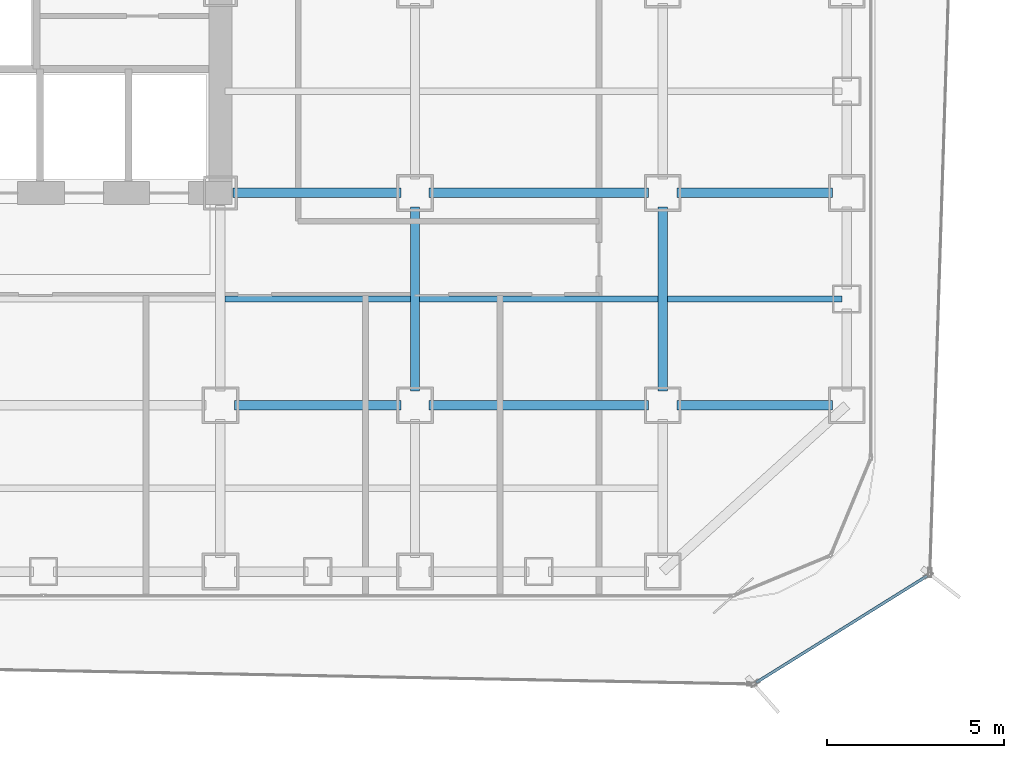
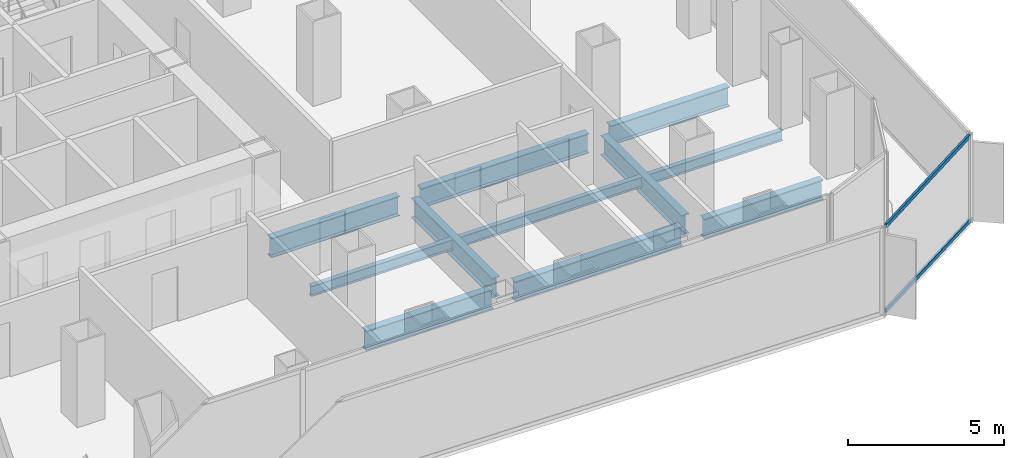
# One storey, part 7 of 22: 11 beams, 2 members, 1 element without a shape of its own.
"""IFC4 building model written with IfcOpenShell, lengths in metres."""

from ifc_helpers import new_model, si_unit, direction, frame, origin, origin_2d, place, context, subcontext, project, spatial, hollow_rectangle, i_section, extrude, source, transform, mapped, material, layer, layer_set, material_profile, profile_set, type_object, element, aggregate, save


model = new_model("IFC4")

# Units and contexts
model_context = context("Model", 3, precision=1e-05, world=origin(), true_north=direction((0.0, 1.0)))
body_context = subcontext(model_context, "Body", "Model", "MODEL_VIEW")
ifc_project = project(units=[si_unit("LENGTHUNIT", "METRE"), si_unit("AREAUNIT", "SQUARE_METRE"), si_unit("VOLUMEUNIT", "CUBIC_METRE"), si_unit("PLANEANGLEUNIT", "RADIAN"), si_unit("MASSUNIT", "GRAM", prefix="KILO")], contexts=[model_context])

# Site, building, storey
site_placement = place(None, origin())
site = spatial("IfcSite", under=ifc_project, at=site_placement, CompositionType="ELEMENT")
building_placement = place(site_placement, origin())
building = spatial("IfcBuilding", under=site, at=building_placement, Name="Kolveth Station Tower", CompositionType="ELEMENT")
storey_placement = place(building_placement, frame((0.0, 0.0, 69.300048828125)))
storey = spatial("IfcBuildingStorey", under=building, at=storey_placement, Name="L18", CompositionType="ELEMENT", Elevation=69.300048828125)

# Beams
ifc_material_1 = material(Name="Steel S355", Category="steel")
ifc_material_profile_1 = material_profile(ifc_material_1, i_section(OverallWidth=0.26708984375, OverallDepth=0.76611328125, WebThickness=0.014892578125, FlangeThickness=0.023681640625, at=origin_2d()), Name="W760x185")
ifc_profile_set_1 = profile_set([ifc_material_profile_1], Name="Steel S355")
beam_type_1 = type_object("IfcBeamType", Name="Beam_B3", PredefinedType="BEAM", material=ifc_profile_set_1)
shared_shape_1 = source(origin(), body_context, "Body", "SweptSolid", [
    extrude(i_section(OverallWidth=0.26708984375, OverallDepth=0.76611328125, WebThickness=0.014892578125, FlangeThickness=0.023681640625, at=origin_2d()), origin(), (0.0, 0.0, 1.0), 4.400146484375),
])
for number, where, z_axis, x_axis, name in (
    (1, (41.39990234375, 5.5, -0.6630859375), (1.0, 0.0, 0.0), (0.0, 1.0, 0.0), "L18 Primary Girder BM-L18-GY55-7"),
    (2, (41.39990234375, 11.5, -0.6630859375), (1.0, 0.0, 0.0), (0.0, 1.0, 0.0), "L18 Primary Girder BM-L18-GY115-7"),
):
    element("IfcBeam", number, at=place(storey_placement, frame(where, z_axis=z_axis, x_axis=x_axis)), inside=storey, type_object=beam_type_1, Name=name, PredefinedType="BEAM", context=body_context, shape_type="MappedRepresentation", body=[
        mapped(shared_shape_1, transform((0.0, 0.0, 0.0), x_axis=(1.0, 0.0, 0.0), y_axis=(0.0, 1.0, 0.0), z_axis=(0.0, 0.0, 1.0), scale=1.0)),
    ])
shared_shape_2 = source(origin(), body_context, "Body", "SweptSolid", [
    extrude(i_section(OverallWidth=0.26708984375, OverallDepth=0.76611328125, WebThickness=0.014892578125, FlangeThickness=0.023681640625, at=origin_2d()), origin(), (0.0, 0.0, 1.0), 6.2001953125),
])
for number, where, z_axis, x_axis, name in (
    (3, (34.39990234375, 5.5, -0.6630859375), (1.0, 0.0, 0.0), (0.0, 1.0, 0.0), "L18 Primary Girder BM-L18-GY55-6"),
    (4, (34.39990234375, 11.5, -0.6630859375), (1.0, 0.0, 0.0), (0.0, 1.0, 0.0), "L18 Primary Girder BM-L18-GY115-6"),
):
    element("IfcBeam", number, at=place(storey_placement, frame(where, z_axis=z_axis, x_axis=x_axis)), inside=storey, type_object=beam_type_1, Name=name, PredefinedType="BEAM", context=body_context, shape_type="MappedRepresentation", body=[
        mapped(shared_shape_2, transform((0.0, 0.0, 0.0), x_axis=(1.0, 0.0, 0.0), y_axis=(0.0, 1.0, 0.0), z_axis=(0.0, 0.0, 1.0), scale=1.0)),
    ])
shared_shape_3 = source(origin(), body_context, "Body", "SweptSolid", [
    extrude(i_section(OverallWidth=0.26708984375, OverallDepth=0.76611328125, WebThickness=0.014892578125, FlangeThickness=0.023681640625, at=origin_2d()), origin(), (0.0, 0.0, 1.0), 4.7001953125),
])
beam_1_placement = place(storey_placement, frame((28.89990234375, 5.5, -0.6630859375), z_axis=(1.0, 0.0, 0.0), x_axis=(0.0, 1.0, 0.0)))
element("IfcBeam", 5, at=beam_1_placement, inside=storey, type_object=beam_type_1, Name="L18 Primary Girder BM-L18-GY55-5", PredefinedType="BEAM", context=body_context, shape_type="MappedRepresentation", body=[
    mapped(shared_shape_3, transform((0.0, 0.0, 0.0), x_axis=(1.0, 0.0, 0.0), y_axis=(0.0, 1.0, 0.0), z_axis=(0.0, 0.0, 1.0), scale=1.0)),
])
shared_shape_4 = source(origin(), body_context, "Body", "SweptSolid", [
    extrude(i_section(OverallWidth=0.26708984375, OverallDepth=0.76611328125, WebThickness=0.014892578125, FlangeThickness=0.023681640625, at=origin_2d()), origin(), (0.0, 0.0, 1.0), 4.739990234375),
])
beam_2_placement = place(storey_placement, frame((28.860107421875, 11.5, -0.6630859375), z_axis=(1.0, 0.0, 0.0), x_axis=(0.0, 1.0, 0.0)))
element("IfcBeam", 6, at=beam_2_placement, inside=storey, type_object=beam_type_1, Name="L18 Primary Girder BM-L18-GY115-5", PredefinedType="BEAM", context=body_context, shape_type="MappedRepresentation", body=[
    mapped(shared_shape_4, transform((0.0, 0.0, 0.0), x_axis=(1.0, 0.0, 0.0), y_axis=(0.0, 1.0, 0.0), z_axis=(0.0, 0.0, 1.0), scale=1.0)),
])
shared_shape_5 = source(origin(), body_context, "Body", "SweptSolid", [
    extrude(i_section(OverallWidth=0.26708984375, OverallDepth=0.76611328125, WebThickness=0.014892578125, FlangeThickness=0.023681640625, at=origin_2d()), origin(), (0.0, 0.0, 1.0), 5.2001953125),
])
for number, where, z_axis, x_axis, name in (
    (7, (34.0, 5.89990234375, -0.6630859375), (0.0, 1.0, 0.0), (-1.0, 0.0, 0.0), "L18 Primary Girder BM-L18-GX340-2"),
    (8, (41.0, 5.89990234375, -0.6630859375), (0.0, 1.0, 0.0), (-1.0, 0.0, 0.0), "L18 Primary Girder BM-L18-GX410-2"),
):
    element("IfcBeam", number, at=place(storey_placement, frame(where, z_axis=z_axis, x_axis=x_axis)), inside=storey, type_object=beam_type_1, Name=name, PredefinedType="BEAM", context=body_context, shape_type="MappedRepresentation", body=[
        mapped(shared_shape_5, transform((0.0, 0.0, 0.0), x_axis=(1.0, 0.0, 0.0), y_axis=(0.0, 1.0, 0.0), z_axis=(0.0, 0.0, 1.0), scale=1.0)),
    ])
ifc_material_profile_2 = material_profile(ifc_material_1, i_section(OverallWidth=0.177978515625, OverallDepth=0.406982421875, WebThickness=0.0078125, FlangeThickness=0.0126953125, at=origin_2d()), Name="W410x60")
ifc_profile_set_2 = profile_set([ifc_material_profile_2], Name="Steel S355")
beam_type_2 = type_object("IfcBeamType", Name="Beam_J1", PredefinedType="JOIST", material=ifc_profile_set_2)
shared_shape_6 = source(origin(), body_context, "Body", "SweptSolid", [
    extrude(i_section(OverallWidth=0.177978515625, OverallDepth=0.406982421875, WebThickness=0.0078125, FlangeThickness=0.0126953125, at=origin_2d()), origin(), (0.0, 0.0, 1.0), 4.935791015625),
])
beam_3_placement = place(storey_placement, frame((41.131591796875, 8.5, -0.483642578125), z_axis=(1.0, 0.0, 0.0), x_axis=(0.0, 1.0, 0.0)))
element("IfcBeam", 9, at=beam_3_placement, inside=storey, type_object=beam_type_2, Name="L18 Secondary Joist JST-L18-7-2", PredefinedType="JOIST", context=body_context, shape_type="MappedRepresentation", body=[
    mapped(shared_shape_6, transform((0.0, 0.0, 0.0), x_axis=(1.0, 0.0, 0.0), y_axis=(0.0, 1.0, 0.0), z_axis=(0.0, 0.0, 1.0), scale=1.0)),
])
shared_shape_7 = source(origin(), body_context, "Body", "SweptSolid", [
    extrude(i_section(OverallWidth=0.177978515625, OverallDepth=0.406982421875, WebThickness=0.0078125, FlangeThickness=0.0126953125, at=origin_2d()), origin(), (0.0, 0.0, 1.0), 6.73681640625),
])
beam_4_placement = place(storey_placement, frame((34.131591796875, 8.5, -0.483642578125), z_axis=(1.0, 0.0, 0.0), x_axis=(0.0, 1.0, 0.0)))
element("IfcBeam", 10, at=beam_4_placement, inside=storey, type_object=beam_type_2, Name="L18 Secondary Joist JST-L18-6-2", PredefinedType="JOIST", context=body_context, shape_type="MappedRepresentation", body=[
    mapped(shared_shape_7, transform((0.0, 0.0, 0.0), x_axis=(1.0, 0.0, 0.0), y_axis=(0.0, 1.0, 0.0), z_axis=(0.0, 0.0, 1.0), scale=1.0)),
])
shared_shape_8 = source(origin(), body_context, "Body", "SweptSolid", [
    extrude(i_section(OverallWidth=0.177978515625, OverallDepth=0.406982421875, WebThickness=0.0078125, FlangeThickness=0.0126953125, at=origin_2d()), origin(), (0.0, 0.0, 1.0), 5.23681640625),
])
beam_5_placement = place(storey_placement, frame((28.631591796875, 8.5, -0.483642578125), z_axis=(1.0, 0.0, 0.0), x_axis=(0.0, 1.0, 0.0)))
element("IfcBeam", 11, at=beam_5_placement, inside=storey, type_object=beam_type_2, Name="L18 Secondary Joist JST-L18-5-2", PredefinedType="JOIST", context=body_context, shape_type="MappedRepresentation", body=[
    mapped(shared_shape_8, transform((0.0, 0.0, 0.0), x_axis=(1.0, 0.0, 0.0), y_axis=(0.0, 1.0, 0.0), z_axis=(0.0, 0.0, 1.0), scale=1.0)),
])

# Curtain wall, members
ifc_material_2 = material(Name="Black anodized aluminium 6063-T6 and dark solar glass", Category="aluminium")
ifc_layer = layer(ifc_material_2, 0.159912109375)
ifc_layer_set = layer_set([ifc_layer], Name="Black anodized aluminium 6063-T6 and dark solar glass")
curtain_wall_type = type_object("IfcCurtainWallType", Name="OUTER SKIN CW-OS", PredefinedType="NOTDEFINED", material=ifc_layer_set)
curtain_wall_placement = place(storey_placement, origin())
curtain_wall = element("IfcCurtainWall", 12, at=curtain_wall_placement, inside=storey, type_object=curtain_wall_type, Name="L18 Outer Ventilated Skin Curtain Wall 1", PredefinedType="NOTDEFINED")
ifc_material_3 = material(Name="Black anodized aluminium 6063-T6", Category="aluminium")
ifc_material_profile_3 = material_profile(ifc_material_3, hollow_rectangle(XDim=0.080078125, YDim=0.14990234375, WallThickness=0.0048828125, at=origin_2d()), Name="ALU-80x150x5")
ifc_profile_set_3 = profile_set([ifc_material_profile_3], Name="Black anodized aluminium 6063-T6")
member_type = type_object("IfcMemberType", Name="Transom_TR-OS", PredefinedType="USERDEFINED", material=ifc_profile_set_3)
shared_shape_9 = source(origin(), body_context, "Body", "SweptSolid", [
    extrude(hollow_rectangle(XDim=0.080078125, YDim=0.14990234375, WallThickness=0.0048828125, at=origin_2d()), origin(), (0.0, 0.0, 1.0), 5.69189453125),
])
member_1_placement = place(storey_placement, frame((43.644287109375, -2.335693359375, 0.0400390625), z_axis=(0.848576118808, 0.529073313056, 0.0), x_axis=(-0.529073313056, 0.848576118808, 0.0)))
member_1 = element("IfcMember", 13, at=member_1_placement, type_object=member_type, Name="CW-OS transom 1.1", ObjectType="TRANSOM", PredefinedType="USERDEFINED", context=body_context, shape_type="MappedRepresentation", body=[
    mapped(shared_shape_9, transform((0.0, 0.0, 0.0), x_axis=(1.0, 0.0, 0.0), y_axis=(0.0, 1.0, 0.0), z_axis=(0.0, 0.0, 1.0), scale=1.0)),
])
member_2_placement = place(storey_placement, frame((43.644287109375, -2.335693359375, 3.349853515625), z_axis=(0.848576118808, 0.529073313056, 0.0), x_axis=(-0.529073313056, 0.848576118808, 0.0)))
member_2 = element("IfcMember", 14, at=member_2_placement, type_object=member_type, Name="CW-OS transom 1.2", ObjectType="TRANSOM", PredefinedType="USERDEFINED", context=body_context, shape_type="MappedRepresentation", body=[
    mapped(shared_shape_9, transform((0.0, 0.0, 0.0), x_axis=(1.0, 0.0, 0.0), y_axis=(0.0, 1.0, 0.0), z_axis=(0.0, 0.0, 1.0), scale=1.0)),
])
aggregate(curtain_wall, [member_1, member_2])

save(model, "model.ifc")
